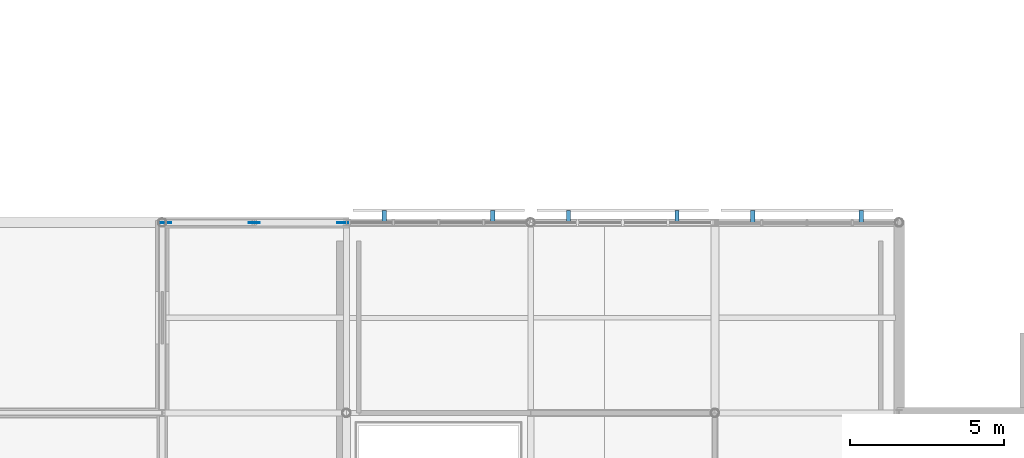
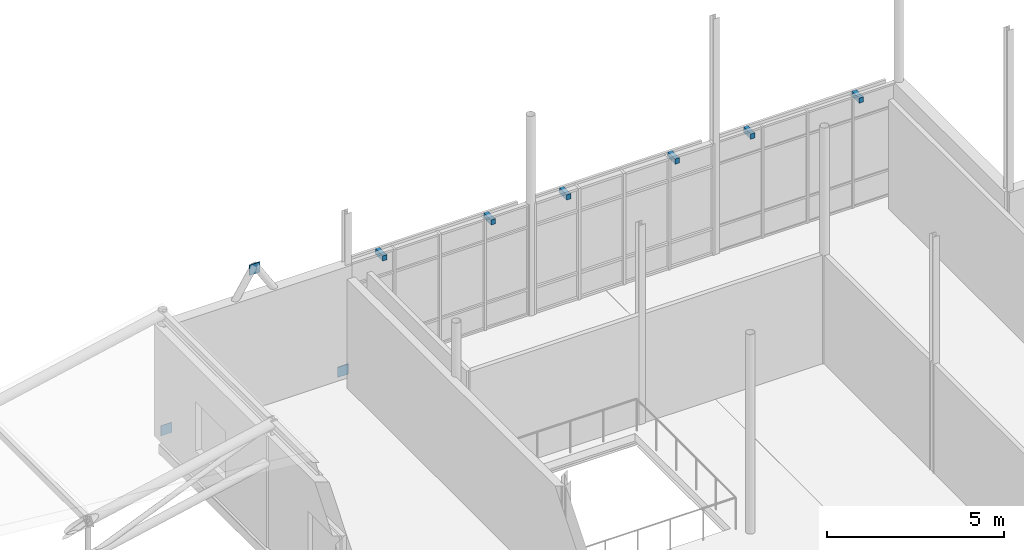
# One storey, part 52 of 66: 9 discrete accessories.
"""IFC4 building model written with IfcOpenShell, lengths in metres."""

from ifc_helpers import new_model, si_unit, direction, frame, origin, origin_2d, place, context, subcontext, project, spatial, rectangle, extrude, material, type_object, element, save


model = new_model("IFC4")

# Units and contexts
model_context = context("Model", 3, precision=1e-05, world=origin(), true_north=direction((0.0, 1.0)))
body_context = subcontext(model_context, "Body", "Model", "MODEL_VIEW")
ifc_project = project(units=[si_unit("LENGTHUNIT", "METRE"), si_unit("AREAUNIT", "SQUARE_METRE"), si_unit("VOLUMEUNIT", "CUBIC_METRE"), si_unit("PLANEANGLEUNIT", "RADIAN"), si_unit("MASSUNIT", "GRAM", prefix="KILO")], contexts=[model_context])

# Site, building, storey
site_placement = place(None, origin())
site = spatial("IfcSite", under=ifc_project, at=site_placement, CompositionType="ELEMENT")
building_placement = place(site_placement, origin())
building = spatial("IfcBuilding", under=site, at=building_placement, Name="Mirzam Square Science Centre", CompositionType="ELEMENT")
storey_placement = place(building_placement, frame((0.0, 0.0, 15.60009765625)))
storey = spatial("IfcBuildingStorey", under=building, at=storey_placement, Name="L03", CompositionType="ELEMENT", Elevation=15.60009765625)

# Discrete accessories
ifc_material = material(Name="Steel S355", Category="steel")
discrete_accessory_type_1 = type_object("IfcDiscreteAccessoryType", Name="BK-BRACE-GUSSET", PredefinedType="BRACKET", material=ifc_material)
for number, where, z_axis, x_axis, name in (
    (1, (36.1201171875, 80.60009765625, -0.005126953125), (0.0, 0.0, 1.0), (1.0, 0.0, 0.0), "L03 brace gusset plate 3A"),
    (2, (41.8798828125, 80.60009765625, -0.005126953125), (0.0, 0.0, 1.0), (1.0, 0.0, 0.0), "L03 brace gusset plate 3B"),
    (3, (39.0, 80.60009765625, 4.519287109375), (0.0, 0.0, 1.0), (1.0, 0.0, 0.0), "L03 brace apex gusset plate 3"),
):
    element("IfcDiscreteAccessory", number, at=place(storey_placement, frame(where, z_axis=z_axis, x_axis=x_axis)), inside=storey, type_object=discrete_accessory_type_1, Name=name, PredefinedType="BRACKET", context=body_context, shape_type="SweptSolid", body=[
        extrude(rectangle(XDim=0.35009765625, YDim=0.02490234375, at=origin_2d()), origin(), (0.0, 0.0, 1.0), 0.35009765625),
    ])
discrete_accessory_type_2 = type_object("IfcDiscreteAccessoryType", Name="BRK-BRISE-STEEL", PredefinedType="BRACKET", material=ifc_material)
for number, where, z_axis, x_axis, name in (
    (4, (46.76708984375, 80.7900390625, 3.5), (0.0, 0.0, 1.0), (-1.0, 0.0, 0.0), "L03 brise-soleil support bracket 29"),
    (5, (43.23291015625, 80.7900390625, 3.5), (0.0, 0.0, 1.0), (-1.0, 0.0, 0.0), "L03 brise-soleil support bracket 29"),
    (6, (52.76708984375, 80.7900390625, 3.5), (0.0, 0.0, 1.0), (-1.0, 0.0, 0.0), "L03 brise-soleil support bracket 30"),
    (7, (49.23291015625, 80.7900390625, 3.5), (0.0, 0.0, 1.0), (-1.0, 0.0, 0.0), "L03 brise-soleil support bracket 30"),
    (8, (58.76708984375, 80.7900390625, 3.5), (0.0, 0.0, 1.0), (-1.0, 0.0, 0.0), "L03 brise-soleil support bracket 31"),
    (9, (55.23291015625, 80.7900390625, 3.5), (0.0, 0.0, 1.0), (-1.0, 0.0, 0.0), "L03 brise-soleil support bracket 31"),
):
    element("IfcDiscreteAccessory", number, at=place(storey_placement, frame(where, z_axis=z_axis, x_axis=x_axis)), inside=storey, type_object=discrete_accessory_type_2, Name=name, PredefinedType="BRACKET", context=body_context, shape_type="SweptSolid", body=[
        extrude(rectangle(XDim=0.139892578125, YDim=0.419921875, at=origin_2d()), origin(), (0.0, 0.0, 1.0), 0.179931640625),
    ])

save(model, "model.ifc")
